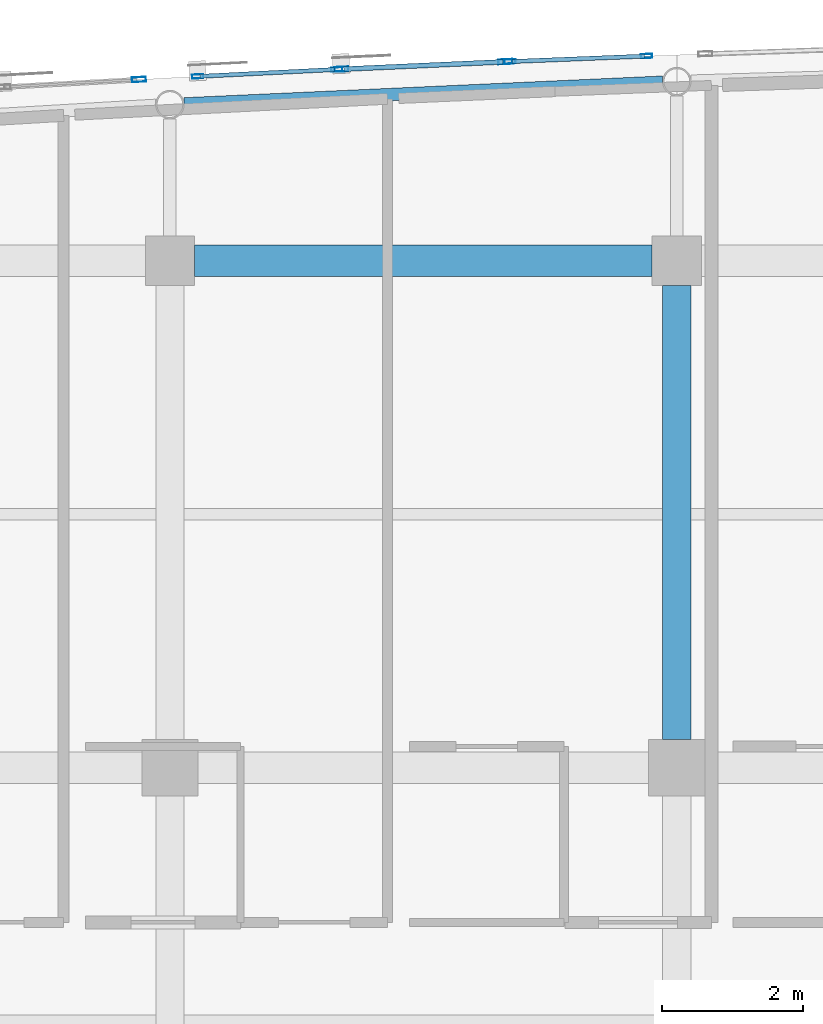
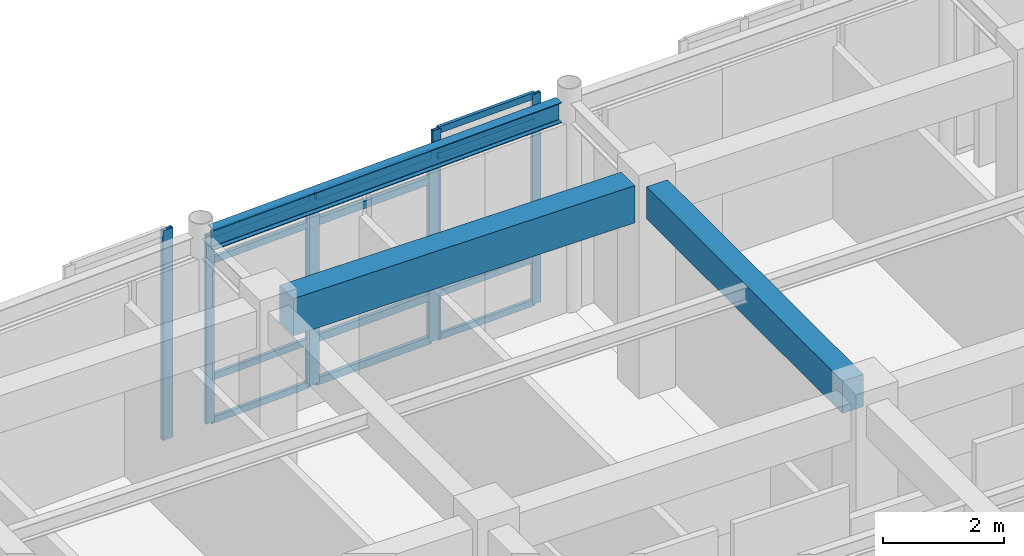
# One storey, part 35 of 106: 19 members, 3 beams, 4 elements without a shape of their own.
"""IFC4 building model written with IfcOpenShell, lengths in metres."""

from ifc_helpers import new_model, si_unit, direction, frame, origin, origin_2d, place, context, subcontext, project, spatial, rectangle, hollow_rectangle, i_section, extrude, material, layer, layer_set, material_profile, profile_set, type_object, element, aggregate, save


model = new_model("IFC4")

# Units and contexts
model_context = context("Model", 3, precision=1e-05, world=origin(), true_north=direction((0.0, 1.0)))
body_context = subcontext(model_context, "Body", "Model", "MODEL_VIEW")
ifc_project = project(units=[si_unit("LENGTHUNIT", "METRE"), si_unit("AREAUNIT", "SQUARE_METRE"), si_unit("VOLUMEUNIT", "CUBIC_METRE"), si_unit("PLANEANGLEUNIT", "RADIAN"), si_unit("MASSUNIT", "GRAM", prefix="KILO")], contexts=[model_context])

# Site, building, storey
site_placement = place(None, origin())
site = spatial("IfcSite", under=ifc_project, at=site_placement, CompositionType="ELEMENT")
building_placement = place(site_placement, origin())
building = spatial("IfcBuilding", under=site, at=building_placement, Name="Carrowvane Square Congress Hotel", CompositionType="ELEMENT")
storey_placement = place(building_placement, frame((0.0, 0.0, 10.5)))
storey = spatial("IfcBuildingStorey", under=building, at=storey_placement, Name="L02", CompositionType="ELEMENT", Elevation=10.5)

# Beams
ifc_material_1 = material(Name="Concrete C35/45", Category="concrete")
ifc_material_profile_1 = material_profile(ifc_material_1, rectangle(XDim=0.39990234375, YDim=0.64990234375, at=origin_2d()), Name="RC 400x650")
ifc_profile_set_1 = profile_set([ifc_material_profile_1], Name="Concrete C35/45")
beam_type_1 = type_object("IfcBeamType", Name="BM-RC-400x650", PredefinedType="BEAM", material=ifc_profile_set_1)
beam_1_placement = place(storey_placement, frame((83.60009765625, 106.60009765625, 3.89501953125), z_axis=(0.0, 1.0, 0.0), x_axis=(-1.0, 0.0, 0.0)))
element("IfcBeam", 1, at=beam_1_placement, inside=storey, type_object=beam_type_1, Name="L03 girder 11/Q-R", PredefinedType="BEAM", context=body_context, shape_type="SweptSolid", body=[
    extrude(rectangle(XDim=0.39990234375, YDim=0.64990234375, at=origin_2d()), origin(), (0.0, 0.0, 1.0), 6.449951171875),
])
ifc_material_2 = material(Name="Concrete C35/45", Category="concrete")
ifc_material_profile_2 = material_profile(ifc_material_2, rectangle(XDim=0.449951171875, YDim=0.75, at=origin_2d()), Name="RC 450x750")
ifc_profile_set_2 = profile_set([ifc_material_profile_2], Name="Concrete C35/45")
beam_type_2 = type_object("IfcBeamType", Name="BM-RC-450x750", PredefinedType="USERDEFINED", material=ifc_profile_set_2)
beam_2_placement = place(storey_placement, frame((76.75, 113.39990234375, 3.844970703125), z_axis=(1.0, 0.0, 0.0), x_axis=(0.0, 1.0, 0.0)))
element("IfcBeam", 2, at=beam_2_placement, inside=storey, type_object=beam_type_2, Name="L03 girder R/10-11", ObjectType="GIRDER", PredefinedType="USERDEFINED", context=body_context, shape_type="SweptSolid", body=[
    extrude(rectangle(XDim=0.449951171875, YDim=0.75, at=origin_2d()), origin(), (0.0, 0.0, 1.0), 6.5),
])
ifc_material_3 = material(Name="Steel S355", Category="steel")
ifc_material_profile_3 = material_profile(ifc_material_3, i_section(OverallWidth=0.1787109375, OverallDepth=0.409423828125, WebThickness=0.0087890625, FlangeThickness=0.014404296875, FilletRadius=0.01025390625, at=origin_2d()), Name="UKB 406x178x67")
ifc_profile_set_3 = profile_set([ifc_material_profile_3], Name="Steel S355")
beam_type_3 = type_object("IfcBeamType", Name="BM-ST-UKB406", PredefinedType="BEAM", material=ifc_profile_set_3)
beam_3_placement = place(storey_placement, frame((76.60302734375, 115.626708984375, 4.015380859375), z_axis=(0.998973271848, 0.045303445058, 0.0), x_axis=(-0.045303445058, 0.998973271848, 0.0)))
element("IfcBeam", 3, at=beam_3_placement, inside=storey, type_object=beam_type_3, Name="L03 curved north spandrel", PredefinedType="BEAM", context=body_context, shape_type="SweptSolid", body=[
    extrude(i_section(OverallWidth=0.1787109375, OverallDepth=0.409423828125, WebThickness=0.0087890625, FlangeThickness=0.014404296875, FilletRadius=0.01025390625, at=origin_2d()), origin(), (0.0, 0.0, 1.0), 6.801025390625),
])

# Curtain wall, members
ifc_material_4 = material(Name="Anodised aluminium", Category="aluminium")
ifc_layer_1 = layer(ifc_material_4, 0.18603515625)
ifc_layer_set_1 = layer_set([ifc_layer_1], Name="Anodised aluminium")
curtain_wall_type_1 = type_object("IfcCurtainWallType", Name="CW-SYS-3", PredefinedType="NOTDEFINED", material=ifc_layer_set_1)
curtain_wall_1_placement = place(storey_placement, origin())
curtain_wall_1 = element("IfcCurtainWall", 4, at=curtain_wall_1_placement, inside=storey, type_object=curtain_wall_type_1, Name="L02 unitised curtain wall 146", PredefinedType="NOTDEFINED")
ifc_material_5 = material(Name="Anodised aluminium", Category="aluminium")
ifc_material_profile_4 = material_profile(ifc_material_5, hollow_rectangle(XDim=0.06005859375, YDim=0.159912109375, WallThickness=0.00390625, at=origin_2d()), Name="CW-ML 60x160x4")
ifc_profile_set_4 = profile_set([ifc_material_profile_4], Name="Anodised aluminium")
member_type_1 = type_object("IfcMemberType", Name="CW-MUL-1", PredefinedType="MULLION", material=ifc_profile_set_4)
member_1_placement = place(storey_placement, frame((76.79443359375, 116.017578125, 0.0), z_axis=(0.0, 0.0, 1.0), x_axis=(-0.050323791596, 0.998732955299, 0.0)))
member_1 = element("IfcMember", 5, at=member_1_placement, type_object=member_type_1, Name="CW-3 mullion 1", PredefinedType="MULLION", context=body_context, shape_type="SweptSolid", body=[
    extrude(hollow_rectangle(XDim=0.06005859375, YDim=0.159912109375, WallThickness=0.00390625, at=origin_2d()), origin(), (0.0, 0.0, 1.0), 3.795654296875),
])
member_2_placement = place(storey_placement, frame((78.77001953125, 116.116943359375, 0.0), z_axis=(0.0, 0.0, 1.0), x_axis=(-0.050323791596, 0.998732955299, 0.0)))
member_2 = element("IfcMember", 6, at=member_2_placement, type_object=member_type_1, Name="CW-3 mullion 2", PredefinedType="MULLION", context=body_context, shape_type="SweptSolid", body=[
    extrude(hollow_rectangle(XDim=0.06005859375, YDim=0.159912109375, WallThickness=0.00390625, at=origin_2d()), origin(), (0.0, 0.0, 1.0), 3.795654296875),
])

ifc_material_6 = material(Name="Anodised aluminium", Category="aluminium")
ifc_layer_2 = layer(ifc_material_6, 0.2099609375)
ifc_layer_set_2 = layer_set([ifc_layer_2], Name="Anodised aluminium")
curtain_wall_type_2 = type_object("IfcCurtainWallType", Name="CW-SYS-5", PredefinedType="NOTDEFINED", material=ifc_layer_set_2)
curtain_wall_2_placement = place(storey_placement, origin())
curtain_wall_2 = element("IfcCurtainWall", 7, at=curtain_wall_2_placement, inside=storey, type_object=curtain_wall_type_2, Name="L02 unitised curtain wall 148", PredefinedType="NOTDEFINED")
member_3_placement = place(storey_placement, frame((81.22998046875, 116.228759765625, 0.0), z_axis=(0.0, 0.0, 1.0), x_axis=(-0.040135742379, 0.999194236464, 0.0)))
member_3 = element("IfcMember", 8, at=member_3_placement, type_object=member_type_1, Name="CW-5 mullion 1", PredefinedType="MULLION", context=body_context, shape_type="SweptSolid", body=[
    extrude(hollow_rectangle(XDim=0.06005859375, YDim=0.159912109375, WallThickness=0.00390625, at=origin_2d()), origin(), (0.0, 0.0, 1.0), 4.219970703125),
])
member_4_placement = place(storey_placement, frame((83.171142578125, 116.306884765625, 0.0), z_axis=(0.0, 0.0, 1.0), x_axis=(-0.040135742379, 0.999194236464, 0.0)))
member_4 = element("IfcMember", 9, at=member_4_placement, type_object=member_type_1, Name="CW-5 mullion 2", PredefinedType="MULLION", context=body_context, shape_type="SweptSolid", body=[
    extrude(hollow_rectangle(XDim=0.06005859375, YDim=0.159912109375, WallThickness=0.00390625, at=origin_2d()), origin(), (0.0, 0.0, 1.0), 4.219970703125),
])

# Curtain wall, member
ifc_material_7 = material(Name="Anodised aluminium", Category="aluminium")
ifc_layer_3 = layer(ifc_material_7, 0.174072265625)
ifc_layer_set_3 = layer_set([ifc_layer_3], Name="Anodised aluminium")
curtain_wall_type_3 = type_object("IfcCurtainWallType", Name="CW-SYS-2", PredefinedType="NOTDEFINED", material=ifc_layer_set_3)
curtain_wall_3_placement = place(storey_placement, origin())
curtain_wall_3 = element("IfcCurtainWall", 10, at=curtain_wall_3_placement, inside=storey, type_object=curtain_wall_type_3, Name="L02 unitised curtain wall 145", PredefinedType="NOTDEFINED")
ifc_material_8 = material(Name="Anodised aluminium", Category="aluminium")
ifc_material_profile_5 = material_profile(ifc_material_8, hollow_rectangle(XDim=0.070068359375, YDim=0.199951171875, WallThickness=0.0048828125, at=origin_2d()), Name="CW-ML 70x200x5")
ifc_profile_set_5 = profile_set([ifc_material_profile_5], Name="Anodised aluminium")
member_type_2 = type_object("IfcMemberType", Name="CW-MUL-2", PredefinedType="MULLION", material=ifc_profile_set_5)
member_5_placement = place(storey_placement, frame((75.96044921875, 115.973388671875, 0.0), z_axis=(0.0, 0.0, 1.0), x_axis=(-0.054815980317, 0.998496473856, 0.0)))
member_5 = element("IfcMember", 11, at=member_5_placement, type_object=member_type_2, Name="CW-2 mullion 2", PredefinedType="MULLION", context=body_context, shape_type="SweptSolid", body=[
    extrude(hollow_rectangle(XDim=0.070068359375, YDim=0.199951171875, WallThickness=0.0048828125, at=origin_2d()), origin(), (0.0, 0.0, 1.0), 4.219970703125),
])
aggregate(curtain_wall_3, [member_5])

# Curtain wall, members
ifc_material_9 = material(Name="Anodised aluminium", Category="aluminium")
ifc_layer_4 = layer(ifc_material_9, 0.197998046875)
ifc_layer_set_4 = layer_set([ifc_layer_4], Name="Anodised aluminium")
curtain_wall_type_4 = type_object("IfcCurtainWallType", Name="CW-SYS-4", PredefinedType="NOTDEFINED", material=ifc_layer_set_4)
curtain_wall_4_placement = place(storey_placement, origin())
curtain_wall_4 = element("IfcCurtainWall", 12, at=curtain_wall_4_placement, inside=storey, type_object=curtain_wall_type_4, Name="L02 unitised curtain wall 147", PredefinedType="NOTDEFINED")
member_6_placement = place(storey_placement, frame((78.8349609375, 116.1201171875, 0.0), z_axis=(0.0, 0.0, 1.0), x_axis=(-0.045411059449, 0.998968385726, 0.0)))
member_6 = element("IfcMember", 13, at=member_6_placement, type_object=member_type_2, Name="CW-4 mullion 1", PredefinedType="MULLION", context=body_context, shape_type="SweptSolid", body=[
    extrude(hollow_rectangle(XDim=0.070068359375, YDim=0.199951171875, WallThickness=0.0048828125, at=origin_2d()), origin(), (0.0, 0.0, 1.0), 3.795654296875),
])
member_7_placement = place(storey_placement, frame((81.1650390625, 116.22607421875, 0.0), z_axis=(0.0, 0.0, 1.0), x_axis=(-0.045411059449, 0.998968385726, 0.0)))
member_7 = element("IfcMember", 14, at=member_7_placement, type_object=member_type_2, Name="CW-4 mullion 2", PredefinedType="MULLION", context=body_context, shape_type="SweptSolid", body=[
    extrude(hollow_rectangle(XDim=0.070068359375, YDim=0.199951171875, WallThickness=0.0048828125, at=origin_2d()), origin(), (0.0, 0.0, 1.0), 3.795654296875),
])

# Member
ifc_material_10 = material(Name="Anodised aluminium", Category="aluminium")
ifc_material_profile_6 = material_profile(ifc_material_10, hollow_rectangle(XDim=0.06005859375, YDim=0.1298828125, WallThickness=0.00390625, at=origin_2d()), Name="CW-TR 60x130x4")
ifc_profile_set_6 = profile_set([ifc_material_profile_6], Name="Anodised aluminium")
member_type_3 = type_object("IfcMemberType", Name="CW-TRN-1", PredefinedType="USERDEFINED", material=ifc_profile_set_6)
member_8_placement = place(storey_placement, frame((76.824462890625, 116.01904296875, 0.030029296875), z_axis=(0.998735138435, 0.050280446047, 0.0), x_axis=(-0.050280446047, 0.998735138435, 0.0)))
member_8 = element("IfcMember", 15, at=member_8_placement, type_object=member_type_3, Name="CW-3 transom 1.1", ObjectType="TRANSOM", PredefinedType="USERDEFINED", context=body_context, shape_type="SweptSolid", body=[
    extrude(hollow_rectangle(XDim=0.06005859375, YDim=0.1298828125, WallThickness=0.00390625, at=origin_2d()), origin(), (0.0, 0.0, 1.0), 1.91796875),
])

member_9_placement = place(storey_placement, frame((76.824462890625, 116.01904296875, 0.89990234375), z_axis=(0.998735138435, 0.050280446047, 0.0), x_axis=(-0.050280446047, 0.998735138435, 0.0)))
member_9 = element("IfcMember", 16, at=member_9_placement, type_object=member_type_3, Name="CW-3 transom 1.2", ObjectType="TRANSOM", PredefinedType="USERDEFINED", context=body_context, shape_type="SweptSolid", body=[
    extrude(hollow_rectangle(XDim=0.06005859375, YDim=0.1298828125, WallThickness=0.00390625, at=origin_2d()), origin(), (0.0, 0.0, 1.0), 1.91796875),
])

member_10_placement = place(storey_placement, frame((76.824462890625, 116.01904296875, 3.24560546875), z_axis=(0.998735138435, 0.050280446047, 0.0), x_axis=(-0.050280446047, 0.998735138435, 0.0)))
member_10 = element("IfcMember", 17, at=member_10_placement, type_object=member_type_3, Name="CW-3 transom 1.3", ObjectType="TRANSOM", PredefinedType="USERDEFINED", context=body_context, shape_type="SweptSolid", body=[
    extrude(hollow_rectangle(XDim=0.06005859375, YDim=0.1298828125, WallThickness=0.00390625, at=origin_2d()), origin(), (0.0, 0.0, 1.0), 1.91796875),
])

member_11_placement = place(storey_placement, frame((76.824462890625, 116.01904296875, 3.765625), z_axis=(0.998735138435, 0.050280446047, 0.0), x_axis=(-0.050280446047, 0.998735138435, 0.0)))
member_11 = element("IfcMember", 18, at=member_11_placement, type_object=member_type_3, Name="CW-3 transom 1.4", ObjectType="TRANSOM", PredefinedType="USERDEFINED", context=body_context, shape_type="SweptSolid", body=[
    extrude(hollow_rectangle(XDim=0.06005859375, YDim=0.1298828125, WallThickness=0.00390625, at=origin_2d()), origin(), (0.0, 0.0, 1.0), 1.91796875),
])

aggregate(curtain_wall_1, [member_1, member_2, member_8, member_9, member_10, member_11])

member_12_placement = place(storey_placement, frame((81.260009765625, 116.22998046875, 0.030029296875), z_axis=(0.999191609431, 0.040201090061, 0.0), x_axis=(-0.040201090061, 0.999191609431, 0.0)))
member_12 = element("IfcMember", 19, at=member_12_placement, type_object=member_type_3, Name="CW-5 transom 1.1", ObjectType="TRANSOM", PredefinedType="USERDEFINED", context=body_context, shape_type="SweptSolid", body=[
    extrude(hollow_rectangle(XDim=0.06005859375, YDim=0.1298828125, WallThickness=0.00390625, at=origin_2d()), origin(), (0.0, 0.0, 1.0), 1.882568359375),
])

member_13_placement = place(storey_placement, frame((81.260009765625, 116.22998046875, 0.89990234375), z_axis=(0.999191609431, 0.040201090061, 0.0), x_axis=(-0.040201090061, 0.999191609431, 0.0)))
member_13 = element("IfcMember", 20, at=member_13_placement, type_object=member_type_3, Name="CW-5 transom 1.2", ObjectType="TRANSOM", PredefinedType="USERDEFINED", context=body_context, shape_type="SweptSolid", body=[
    extrude(hollow_rectangle(XDim=0.06005859375, YDim=0.1298828125, WallThickness=0.00390625, at=origin_2d()), origin(), (0.0, 0.0, 1.0), 1.882568359375),
])

member_14_placement = place(storey_placement, frame((81.260009765625, 116.22998046875, 3.669921875), z_axis=(0.999191609431, 0.040201090061, 0.0), x_axis=(-0.040201090061, 0.999191609431, 0.0)))
member_14 = element("IfcMember", 21, at=member_14_placement, type_object=member_type_3, Name="CW-5 transom 1.3", ObjectType="TRANSOM", PredefinedType="USERDEFINED", context=body_context, shape_type="SweptSolid", body=[
    extrude(hollow_rectangle(XDim=0.06005859375, YDim=0.1298828125, WallThickness=0.00390625, at=origin_2d()), origin(), (0.0, 0.0, 1.0), 1.882568359375),
])

member_15_placement = place(storey_placement, frame((81.260009765625, 116.22998046875, 4.18994140625), z_axis=(0.999191609431, 0.040201090061, 0.0), x_axis=(-0.040201090061, 0.999191609431, 0.0)))
member_15 = element("IfcMember", 22, at=member_15_placement, type_object=member_type_3, Name="CW-5 transom 1.4", ObjectType="TRANSOM", PredefinedType="USERDEFINED", context=body_context, shape_type="SweptSolid", body=[
    extrude(hollow_rectangle(XDim=0.06005859375, YDim=0.1298828125, WallThickness=0.00390625, at=origin_2d()), origin(), (0.0, 0.0, 1.0), 1.882568359375),
])

aggregate(curtain_wall_2, [member_3, member_4, member_12, member_13, member_14, member_15])

ifc_material_11 = material(Name="Anodised aluminium", Category="aluminium")
ifc_material_profile_7 = material_profile(ifc_material_11, hollow_rectangle(XDim=0.070068359375, YDim=0.14990234375, WallThickness=0.0048828125, at=origin_2d()), Name="CW-TR 70x150x5")
ifc_profile_set_7 = profile_set([ifc_material_profile_7], Name="Anodised aluminium")
member_type_4 = type_object("IfcMemberType", Name="CW-TRN-2", PredefinedType="USERDEFINED", material=ifc_profile_set_7)
member_16_placement = place(storey_placement, frame((78.869873046875, 116.12158203125, 0.034912109375), z_axis=(0.998967650095, 0.045427239219, 0.0), x_axis=(-0.045427239219, 0.998967650095, 0.0)))
member_16 = element("IfcMember", 23, at=member_16_placement, type_object=member_type_4, Name="CW-4 transom 1.1", ObjectType="TRANSOM", PredefinedType="USERDEFINED", context=body_context, shape_type="SweptSolid", body=[
    extrude(hollow_rectangle(XDim=0.070068359375, YDim=0.14990234375, WallThickness=0.0048828125, at=origin_2d()), origin(), (0.0, 0.0, 1.0), 2.2626953125),
])

member_17_placement = place(storey_placement, frame((78.869873046875, 116.12158203125, 0.89990234375), z_axis=(0.998967650095, 0.045427239219, 0.0), x_axis=(-0.045427239219, 0.998967650095, 0.0)))
member_17 = element("IfcMember", 24, at=member_17_placement, type_object=member_type_4, Name="CW-4 transom 1.2", ObjectType="TRANSOM", PredefinedType="USERDEFINED", context=body_context, shape_type="SweptSolid", body=[
    extrude(hollow_rectangle(XDim=0.070068359375, YDim=0.14990234375, WallThickness=0.0048828125, at=origin_2d()), origin(), (0.0, 0.0, 1.0), 2.2626953125),
])

member_18_placement = place(storey_placement, frame((78.869873046875, 116.12158203125, 3.24560546875), z_axis=(0.998967650095, 0.045427239219, 0.0), x_axis=(-0.045427239219, 0.998967650095, 0.0)))
member_18 = element("IfcMember", 25, at=member_18_placement, type_object=member_type_4, Name="CW-4 transom 1.3", ObjectType="TRANSOM", PredefinedType="USERDEFINED", context=body_context, shape_type="SweptSolid", body=[
    extrude(hollow_rectangle(XDim=0.070068359375, YDim=0.14990234375, WallThickness=0.0048828125, at=origin_2d()), origin(), (0.0, 0.0, 1.0), 2.2626953125),
])

member_19_placement = place(storey_placement, frame((78.869873046875, 116.12158203125, 3.760498046875), z_axis=(0.998967650095, 0.045427239219, 0.0), x_axis=(-0.045427239219, 0.998967650095, 0.0)))
member_19 = element("IfcMember", 26, at=member_19_placement, type_object=member_type_4, Name="CW-4 transom 1.4", ObjectType="TRANSOM", PredefinedType="USERDEFINED", context=body_context, shape_type="SweptSolid", body=[
    extrude(hollow_rectangle(XDim=0.070068359375, YDim=0.14990234375, WallThickness=0.0048828125, at=origin_2d()), origin(), (0.0, 0.0, 1.0), 2.2626953125),
])

aggregate(curtain_wall_4, [member_6, member_7, member_16, member_17, member_18, member_19])

save(model, "model.ifc")
